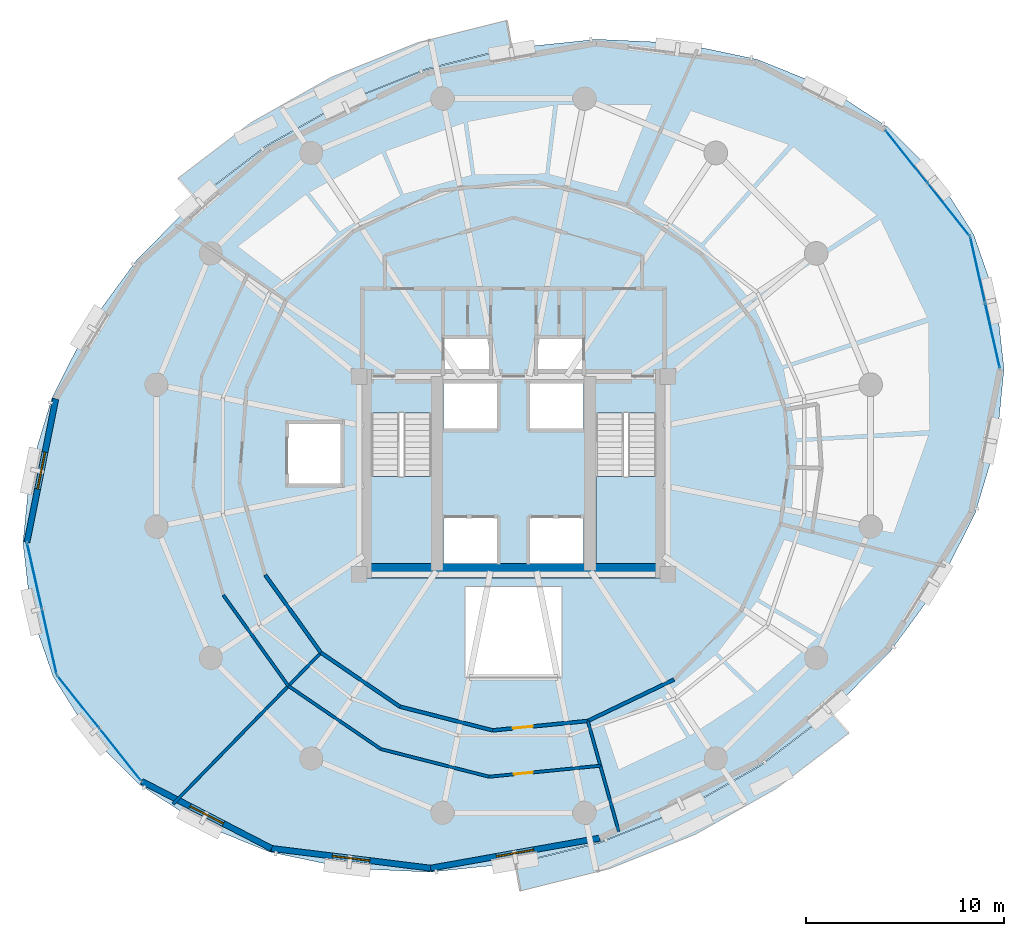
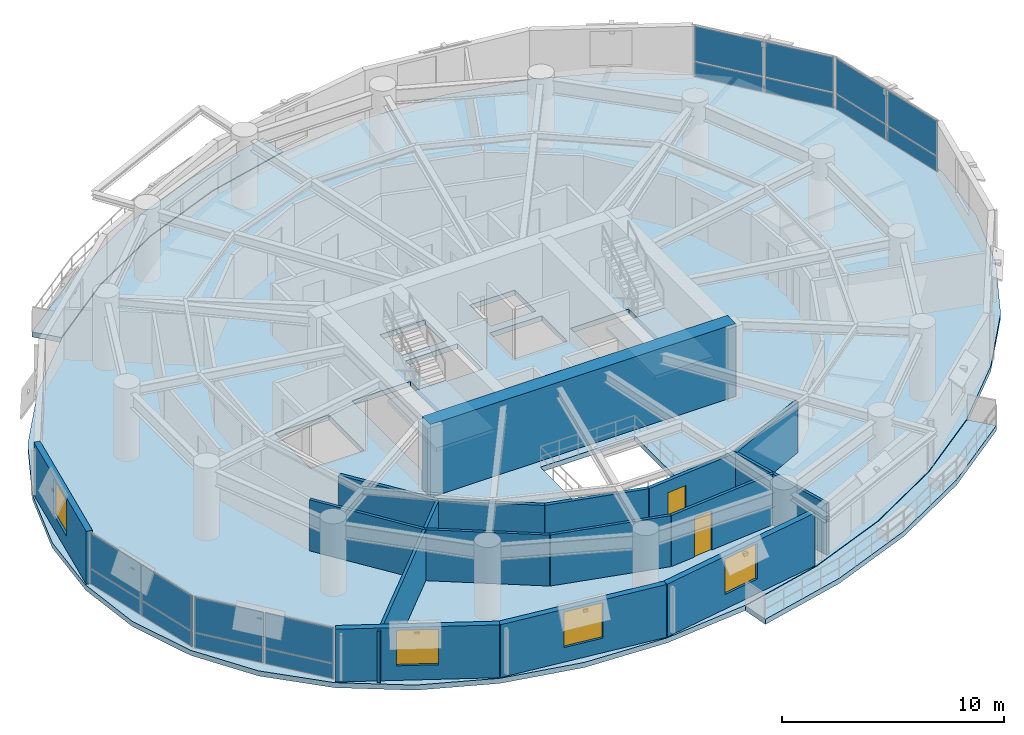
# One storey, part 9 of 15: 16 plates, 16 walls, 5 slabs, 4 windows, 2 doors, 6 openings, 6 elements without a shape of their own.
"""IFC4 building model written with IfcOpenShell, lengths in metres."""

from ifc_helpers import new_model, si_unit, direction, frame, frame_2d, origin, origin_2d, place, context, subcontext, project, spatial, polyline, rectangle, outline, extrude, material, layer, layer_set, type_object, element, fill, aggregate, save


model = new_model("IFC4")

# Units and contexts
model_context = context("Model", 3, precision=1e-05, world=origin(), true_north=direction((0.0, 1.0)))
body_context = subcontext(model_context, "Body", "Model", "MODEL_VIEW")
ifc_project = project(units=[si_unit("LENGTHUNIT", "METRE"), si_unit("AREAUNIT", "SQUARE_METRE"), si_unit("VOLUMEUNIT", "CUBIC_METRE"), si_unit("PLANEANGLEUNIT", "RADIAN"), si_unit("MASSUNIT", "GRAM", prefix="KILO"), si_unit("THERMODYNAMICTEMPERATUREUNIT", "KELVIN"), si_unit("POWERUNIT", "WATT")], contexts=[model_context])

# Site, building, storey
site_placement = place(None, origin())
site = spatial("IfcSite", under=ifc_project, at=site_placement, CompositionType="ELEMENT")
building_placement = place(site_placement, origin())
building = spatial("IfcBuilding", under=site, at=building_placement, Name="Ocrelia Relay Tower", CompositionType="ELEMENT")
storey_placement = place(building_placement, frame((0.0, 0.0, 141.800048828125)))
storey = spatial("IfcBuildingStorey", under=building, at=storey_placement, Name="L33", CompositionType="ELEMENT", Elevation=141.800048828125)

# Curtain wall, plates
ifc_material_1 = material(Name="Aluminium and solar-control low-E glass", Category="aluminium")
ifc_layer_1 = layer(ifc_material_1, 0.179931640625, Name="Aluminium and solar-control low-E glass")
ifc_layer_set_1 = layer_set([ifc_layer_1], Name="Aluminium and solar-control low-E glass")
curtain_wall_type = type_object("IfcCurtainWallType", Name="CW-SYS-Z2-SWIT", PredefinedType="NOTDEFINED", material=ifc_layer_set_1)
curtain_wall_1_placement = place(storey_placement, origin())
curtain_wall_1 = element("IfcCurtainWall", 1, at=curtain_wall_1_placement, inside=storey, type_object=curtain_wall_type, Name="L33 Elliptical Tower Curtain Wall Bay 01", PredefinedType="NOTDEFINED")
ifc_material_2 = material(Name="Clear double-glazed low-E glass", Category="glass")
ifc_layer_2 = layer(ifc_material_2, 0.031982421875, Name="Clear double-glazed low-E glass")
ifc_layer_set_2 = layer_set([ifc_layer_2], Name="Clear double-glazed low-E glass")
plate_type = type_object("IfcPlateType", Name="CW-SYS-Z2-SWIT-PNL", PredefinedType="CURTAIN_PANEL", material=ifc_layer_set_2)
plate_1_placement = place(storey_placement, frame((55.992919921875, 38.43896484375, 0.059814453125), z_axis=(0.0, 0.0, 1.0), x_axis=(-0.624148881208, 0.781305429449, 0.0)))
plate_1 = element("IfcPlate", 2, at=plate_1_placement, type_object=plate_type, Name="CW-Z2 panel 1.1", PredefinedType="CURTAIN_PANEL", context=body_context, shape_type="SweptSolid", body=[
    extrude(rectangle(XDim=3.33447265625, YDim=0.031982421875, at=origin_2d()), origin(), (0.0, 0.0, 1.0), 0.81005859375),
])
plate_2_placement = place(storey_placement, frame((55.992919921875, 38.43896484375, 0.93017578125), z_axis=(0.0, 0.0, 1.0), x_axis=(-0.624148881208, 0.781305429449, 0.0)))
plate_2 = element("IfcPlate", 3, at=plate_2_placement, type_object=plate_type, Name="CW-Z2 panel 1.2", PredefinedType="CURTAIN_PANEL", context=body_context, shape_type="SweptSolid", body=[
    extrude(rectangle(XDim=3.33447265625, YDim=0.031982421875, at=origin_2d()), origin(), (0.0, 0.0, 1.0), 1.909912109375),
])
plate_3_placement = place(storey_placement, frame((53.867919921875, 41.098876953125, 0.059814453125), z_axis=(0.0, 0.0, 1.0), x_axis=(-0.624148881208, 0.781305429449, 0.0)))
plate_3 = element("IfcPlate", 4, at=plate_3_placement, type_object=plate_type, Name="CW-Z2 panel 2.1", PredefinedType="CURTAIN_PANEL", context=body_context, shape_type="SweptSolid", body=[
    extrude(rectangle(XDim=3.33447265625, YDim=0.031982421875, at=origin_2d()), origin(), (0.0, 0.0, 1.0), 0.81005859375),
])
plate_4_placement = place(storey_placement, frame((53.867919921875, 41.098876953125, 0.93017578125), z_axis=(0.0, 0.0, 1.0), x_axis=(-0.624148881208, 0.781305429449, 0.0)))
plate_4 = element("IfcPlate", 5, at=plate_4_placement, type_object=plate_type, Name="CW-Z2 panel 2.2", PredefinedType="CURTAIN_PANEL", context=body_context, shape_type="SweptSolid", body=[
    extrude(rectangle(XDim=3.33447265625, YDim=0.031982421875, at=origin_2d()), origin(), (0.0, 0.0, 1.0), 1.909912109375),
])
aggregate(curtain_wall_1, [plate_1, plate_2, plate_3, plate_4])

curtain_wall_2_placement = place(storey_placement, origin())
curtain_wall_2 = element("IfcCurtainWall", 6, at=curtain_wall_2_placement, inside=storey, type_object=curtain_wall_type, Name="L33 Elliptical Tower Curtain Wall Bay 09", PredefinedType="NOTDEFINED")
plate_5_placement = place(storey_placement, frame((9.7939453125, 19.934814453125, 0.059814453125), z_axis=(0.0, 0.0, 1.0), x_axis=(0.219506314656, -0.975611079184, 0.0)))
plate_5 = element("IfcPlate", 7, at=plate_5_placement, type_object=plate_type, Name="CW-Z2 panel 1.1", PredefinedType="CURTAIN_PANEL", context=body_context, shape_type="SweptSolid", body=[
    extrude(rectangle(XDim=3.33447265625, YDim=0.031982421875, at=origin_2d()), origin(), (0.0, 0.0, 1.0), 0.81005859375),
])
plate_6_placement = place(storey_placement, frame((9.7939453125, 19.934814453125, 0.93017578125), z_axis=(0.0, 0.0, 1.0), x_axis=(0.219506314656, -0.975611079184, 0.0)))
plate_6 = element("IfcPlate", 8, at=plate_6_placement, type_object=plate_type, Name="CW-Z2 panel 1.2", PredefinedType="CURTAIN_PANEL", context=body_context, shape_type="SweptSolid", body=[
    extrude(rectangle(XDim=3.33447265625, YDim=0.031982421875, at=origin_2d()), origin(), (0.0, 0.0, 1.0), 1.909912109375),
])
plate_7_placement = place(storey_placement, frame((10.541259765625, 16.61328125, 0.059814453125), z_axis=(0.0, 0.0, 1.0), x_axis=(0.219506314656, -0.975611079184, 0.0)))
plate_7 = element("IfcPlate", 9, at=plate_7_placement, type_object=plate_type, Name="CW-Z2 panel 2.1", PredefinedType="CURTAIN_PANEL", context=body_context, shape_type="SweptSolid", body=[
    extrude(rectangle(XDim=3.33447265625, YDim=0.031982421875, at=origin_2d()), origin(), (0.0, 0.0, 1.0), 0.81005859375),
])
plate_8_placement = place(storey_placement, frame((10.541259765625, 16.61328125, 0.93017578125), z_axis=(0.0, 0.0, 1.0), x_axis=(0.219506314656, -0.975611079184, 0.0)))
plate_8 = element("IfcPlate", 10, at=plate_8_placement, type_object=plate_type, Name="CW-Z2 panel 2.2", PredefinedType="CURTAIN_PANEL", context=body_context, shape_type="SweptSolid", body=[
    extrude(rectangle(XDim=3.33447265625, YDim=0.031982421875, at=origin_2d()), origin(), (0.0, 0.0, 1.0), 1.909912109375),
])
aggregate(curtain_wall_2, [plate_5, plate_6, plate_7, plate_8])

curtain_wall_3_placement = place(storey_placement, origin())
curtain_wall_3 = element("IfcCurtainWall", 11, at=curtain_wall_3_placement, inside=storey, type_object=curtain_wall_type, Name="L33 Elliptical Tower Curtain Wall Bay 10", PredefinedType="NOTDEFINED")
plate_9_placement = place(storey_placement, frame((12.007080078125, 13.56103515625, 0.059814453125), z_axis=(0.0, 0.0, 1.0), x_axis=(0.624148881208, -0.781305429449, 0.0)))
plate_9 = element("IfcPlate", 12, at=plate_9_placement, type_object=plate_type, Name="CW-Z2 panel 1.1", PredefinedType="CURTAIN_PANEL", context=body_context, shape_type="SweptSolid", body=[
    extrude(rectangle(XDim=3.33447265625, YDim=0.031982421875, at=origin_2d()), origin(), (0.0, 0.0, 1.0), 0.81005859375),
])
plate_10_placement = place(storey_placement, frame((12.007080078125, 13.56103515625, 0.93017578125), z_axis=(0.0, 0.0, 1.0), x_axis=(0.624148881208, -0.781305429449, 0.0)))
plate_10 = element("IfcPlate", 13, at=plate_10_placement, type_object=plate_type, Name="CW-Z2 panel 1.2", PredefinedType="CURTAIN_PANEL", context=body_context, shape_type="SweptSolid", body=[
    extrude(rectangle(XDim=3.33447265625, YDim=0.031982421875, at=origin_2d()), origin(), (0.0, 0.0, 1.0), 1.909912109375),
])
plate_11_placement = place(storey_placement, frame((14.132080078125, 10.901123046875, 0.059814453125), z_axis=(0.0, 0.0, 1.0), x_axis=(0.624148881208, -0.781305429449, 0.0)))
plate_11 = element("IfcPlate", 14, at=plate_11_placement, type_object=plate_type, Name="CW-Z2 panel 2.1", PredefinedType="CURTAIN_PANEL", context=body_context, shape_type="SweptSolid", body=[
    extrude(rectangle(XDim=3.33447265625, YDim=0.031982421875, at=origin_2d()), origin(), (0.0, 0.0, 1.0), 0.81005859375),
])
plate_12_placement = place(storey_placement, frame((14.132080078125, 10.901123046875, 0.93017578125), z_axis=(0.0, 0.0, 1.0), x_axis=(0.624148881208, -0.781305429449, 0.0)))
plate_12 = element("IfcPlate", 15, at=plate_12_placement, type_object=plate_type, Name="CW-Z2 panel 2.2", PredefinedType="CURTAIN_PANEL", context=body_context, shape_type="SweptSolid", body=[
    extrude(rectangle(XDim=3.33447265625, YDim=0.031982421875, at=origin_2d()), origin(), (0.0, 0.0, 1.0), 1.909912109375),
])
aggregate(curtain_wall_3, [plate_9, plate_10, plate_11, plate_12])

curtain_wall_4_placement = place(storey_placement, origin())
curtain_wall_4 = element("IfcCurtainWall", 16, at=curtain_wall_4_placement, inside=storey, type_object=curtain_wall_type, Name="L33 Elliptical Tower Curtain Wall Bay 18", PredefinedType="NOTDEFINED")
plate_13_placement = place(storey_placement, frame((58.2060546875, 32.065185546875, 0.059814453125), z_axis=(0.0, 0.0, 1.0), x_axis=(-0.219506314656, 0.975611079184, 0.0)))
plate_13 = element("IfcPlate", 17, at=plate_13_placement, type_object=plate_type, Name="CW-Z2 panel 1.1", PredefinedType="CURTAIN_PANEL", context=body_context, shape_type="SweptSolid", body=[
    extrude(rectangle(XDim=3.33447265625, YDim=0.031982421875, at=origin_2d()), origin(), (0.0, 0.0, 1.0), 0.81005859375),
])
plate_14_placement = place(storey_placement, frame((58.2060546875, 32.065185546875, 0.93017578125), z_axis=(0.0, 0.0, 1.0), x_axis=(-0.219506314656, 0.975611079184, 0.0)))
plate_14 = element("IfcPlate", 18, at=plate_14_placement, type_object=plate_type, Name="CW-Z2 panel 1.2", PredefinedType="CURTAIN_PANEL", context=body_context, shape_type="SweptSolid", body=[
    extrude(rectangle(XDim=3.33447265625, YDim=0.031982421875, at=origin_2d()), origin(), (0.0, 0.0, 1.0), 1.909912109375),
])
plate_15_placement = place(storey_placement, frame((57.458740234375, 35.38671875, 0.059814453125), z_axis=(0.0, 0.0, 1.0), x_axis=(-0.219506314656, 0.975611079184, 0.0)))
plate_15 = element("IfcPlate", 19, at=plate_15_placement, type_object=plate_type, Name="CW-Z2 panel 2.1", PredefinedType="CURTAIN_PANEL", context=body_context, shape_type="SweptSolid", body=[
    extrude(rectangle(XDim=3.33447265625, YDim=0.031982421875, at=origin_2d()), origin(), (0.0, 0.0, 1.0), 0.81005859375),
])
plate_16_placement = place(storey_placement, frame((57.458740234375, 35.38671875, 0.93017578125), z_axis=(0.0, 0.0, 1.0), x_axis=(-0.219506314656, 0.975611079184, 0.0)))
plate_16 = element("IfcPlate", 20, at=plate_16_placement, type_object=plate_type, Name="CW-Z2 panel 2.2", PredefinedType="CURTAIN_PANEL", context=body_context, shape_type="SweptSolid", body=[
    extrude(rectangle(XDim=3.33447265625, YDim=0.031982421875, at=origin_2d()), origin(), (0.0, 0.0, 1.0), 1.909912109375),
])
aggregate(curtain_wall_4, [plate_13, plate_14, plate_15, plate_16])

# Slabs
ifc_material_3 = material(Name="Precast concrete C40/50", Category="concrete")
ifc_layer_3 = layer(ifc_material_3, 0.280029296875, Name="Precast concrete C40/50")
ifc_layer_set_3 = layer_set([ifc_layer_3], Name="Precast concrete C40/50")
slab_type_1 = type_object("IfcSlabType", Name="SL-BALC-280", PredefinedType="FLOOR", material=ifc_layer_set_3)
slab_1_placement = place(storey_placement, frame((0.0, 0.0, -0.280029296875)))
element("IfcSlab", 21, at=slab_1_placement, inside=storey, type_object=slab_type_1, Name="L33 Planted Loggia Balcony B1", PredefinedType="FLOOR", context=body_context, shape_type="SweptSolid", body=[
    extrude(outline(polyline([(33.8955078125, 46.62158203125), (31.741943359375, 46.08349609375), (29.588623046875, 45.545654296875), (25.416015625, 43.8759765625), (21.504150390625, 41.663330078125), (19.73779296875, 40.3193359375), (17.9716796875, 38.975341796875), (17.052001953125, 40.022216796875), (18.894775390625, 41.424560546875), (20.737548828125, 42.826904296875), (24.81298828125, 45.131591796875), (29.16015625, 46.87109375), (31.40673828125, 47.4326171875), (33.653564453125, 47.993896484375), (33.8955078125, 46.62158203125)])), origin(), (0.0, 0.0, 1.0), 0.280029296875),
])
slab_2_placement = place(storey_placement, frame((0.0, 0.0, -0.280029296875)))
element("IfcSlab", 22, at=slab_2_placement, inside=storey, type_object=slab_type_1, Name="L33 Planted Loggia Balcony B2", PredefinedType="FLOOR", context=body_context, shape_type="SweptSolid", body=[
    extrude(outline(polyline([(34.1044921875, 5.37841796875), (36.2578125, 5.916259765625), (38.411376953125, 6.454345703125), (42.583984375, 8.1240234375), (46.495849609375, 10.336669921875), (48.26220703125, 11.6806640625), (50.0283203125, 13.024658203125), (50.947998046875, 11.977783203125), (49.105224609375, 10.575439453125), (47.262451171875, 9.173095703125), (43.18701171875, 6.868408203125), (38.83984375, 5.12890625), (36.59326171875, 4.5673828125), (34.346435546875, 4.006103515625), (34.1044921875, 5.37841796875)])), origin(), (0.0, 0.0, 1.0), 0.280029296875),
])
ifc_material_4 = material(Name="Concrete C50/60", Category="concrete")
ifc_layer_4 = layer(ifc_material_4, 0.280029296875, Name="Concrete C50/60")
ifc_layer_set_4 = layer_set([ifc_layer_4], Name="Concrete C50/60")
slab_type_2 = type_object("IfcSlabType", Name="SL-FLR-280", PredefinedType="FLOOR", material=ifc_layer_set_4)
slab_3_placement = place(storey_placement, frame((0.0, 0.0, -0.280029296875)))
element("IfcSlab", 23, at=slab_3_placement, inside=storey, type_object=slab_type_2, Name="L33 Elliptical Tower Floor Slab", PredefinedType="FLOOR", context=body_context, shape_type="SweptSolid", body=[
    extrude(outline(polyline([(57.257568359375, 37.168212890625), (55.416015625, 40.097900390625), (52.923583984375, 42.59912109375), (49.856201171875, 44.59619140625), (46.30712890625, 46.0283203125), (42.384033203125, 46.851806640625), (38.206298828125, 47.04150390625), (33.900634765625, 46.592041015625), (29.597900390625, 45.51708984375), (25.42919921875, 43.848876953125), (21.520751953125, 41.63818359375), (17.991455078125, 38.95263671875), (14.948486328125, 35.87353515625), (12.484619140625, 32.494384765625), (10.67431640625, 28.917724609375), (9.572998046875, 25.25244140625), (9.213623046875, 21.610107421875), (9.607421875, 18.10107421875), (10.742431640625, 14.831787109375), (12.583984375, 11.902099609375), (15.076416015625, 9.40087890625), (18.143798828125, 7.40380859375), (21.69287109375, 5.9716796875), (25.615966796875, 5.148193359375), (29.793701171875, 4.95849609375), (34.099365234375, 5.407958984375), (38.402099609375, 6.48291015625), (42.57080078125, 8.151123046875), (46.479248046875, 10.36181640625), (50.008544921875, 13.04736328125), (53.051513671875, 16.12646484375), (55.515380859375, 19.505615234375), (57.32568359375, 23.082275390625), (58.427001953125, 26.74755859375), (58.786376953125, 30.389892578125), (58.392578125, 33.89892578125), (57.257568359375, 37.168212890625)]), holes=[polyline([(26.81005859375, 28.14990234375), (26.81005859375, 20.550048828125), (29.85009765625, 20.550048828125), (29.85009765625, 28.14990234375), (26.81005859375, 28.14990234375)]), polyline([(38.159912109375, 28.14990234375), (38.159912109375, 20.550048828125), (41.199951171875, 20.550048828125), (41.199951171875, 28.14990234375), (38.159912109375, 28.14990234375)]), polyline([(30.4599609375, 20.550048828125), (33.159912109375, 20.550048828125), (33.159912109375, 22.85009765625), (30.4599609375, 22.85009765625), (30.4599609375, 20.550048828125)]), polyline([(34.840087890625, 20.550048828125), (37.5400390625, 20.550048828125), (37.5400390625, 22.85009765625), (34.840087890625, 22.85009765625), (34.840087890625, 20.550048828125)]), polyline([(30.4599609375, 27.35009765625), (33.159912109375, 27.35009765625), (33.159912109375, 29.64990234375), (30.4599609375, 29.64990234375), (30.4599609375, 27.35009765625)]), polyline([(34.840087890625, 27.35009765625), (37.5400390625, 27.35009765625), (37.5400390625, 29.64990234375), (34.840087890625, 29.64990234375), (34.840087890625, 27.35009765625)]), polyline([(30.5, 30.10009765625), (32.85009765625, 30.10009765625), (32.85009765625, 32.0), (30.5, 32.0), (30.5, 30.10009765625)]), polyline([(35.14990234375, 30.10009765625), (37.5, 30.10009765625), (37.5, 32.0), (35.14990234375, 32.0), (35.14990234375, 30.10009765625)]), polyline([(22.550048828125, 24.5), (25.35009765625, 24.5), (25.35009765625, 27.699951171875), (22.550048828125, 27.699951171875), (22.550048828125, 24.5)]), polyline([(31.550048828125, 14.800048828125), (36.449951171875, 14.800048828125), (36.449951171875, 19.39990234375), (31.550048828125, 19.39990234375), (31.550048828125, 14.800048828125)])]), origin(), (0.0, 0.0, 1.0), 0.280029296875),
])

# Stair, slab
stair_type = type_object("IfcStairType", Name="ST-DL-1420-R167", PredefinedType="HALF_TURN_STAIR", material=ifc_material_4)
stair_1_placement = place(storey_placement, origin())
stair_1 = element("IfcStair", 24, at=stair_1_placement, inside=storey, type_object=stair_type, Name="L33 West Core Exit Stair ST1", PredefinedType="HALF_TURN_STAIR")
ifc_layer_5 = layer(ifc_material_4, 0.199951171875, Name="Concrete C50/60")
ifc_layer_set_5 = layer_set([ifc_layer_5], Name="Concrete C50/60")
slab_type_3 = type_object("IfcSlabType", Name="SL-LANDING-200", PredefinedType="LANDING", material=ifc_layer_set_5)
slab_4_placement = place(storey_placement, frame((0.0, 0.0, 1.800048828125)))
slab_4 = element("IfcSlab", 25, at=slab_4_placement, type_object=slab_type_3, Name="ST1 landing 1", PredefinedType="LANDING", context=body_context, shape_type="SweptSolid", body=[
    extrude(outline(polyline([(26.81005859375, 24.9599609375), (26.81005859375, 20.550048828125), (29.85009765625, 20.550048828125), (29.85009765625, 24.9599609375), (26.81005859375, 24.9599609375)])), origin(), (0.0, 0.0, 1.0), 0.199951171875),
])
aggregate(stair_1, [slab_4])

stair_2_placement = place(storey_placement, origin())
stair_2 = element("IfcStair", 26, at=stair_2_placement, inside=storey, type_object=stair_type, Name="L33 East Core Exit Stair ST2", PredefinedType="HALF_TURN_STAIR")
slab_5_placement = place(storey_placement, frame((0.0, 0.0, 1.800048828125)))
slab_5 = element("IfcSlab", 27, at=slab_5_placement, type_object=slab_type_3, Name="ST2 landing 1", PredefinedType="LANDING", context=body_context, shape_type="SweptSolid", body=[
    extrude(outline(polyline([(38.159912109375, 24.9599609375), (38.159912109375, 20.550048828125), (41.199951171875, 20.550048828125), (41.199951171875, 24.9599609375), (38.159912109375, 24.9599609375)])), origin(), (0.0, 0.0, 1.0), 0.199951171875),
])
aggregate(stair_2, [slab_5])

# Walls
ifc_material_5 = material(Name="Concrete C60/75", Category="concrete")
ifc_layer_6 = layer(ifc_material_5, 0.75, Name="Concrete C60/75")
ifc_layer_set_6 = layer_set([ifc_layer_6], Name="Concrete C60/75")
wall_type_1 = type_object("IfcWallType", Name="CW-CORE-750", PredefinedType="SHEAR", material=ifc_layer_set_6)
wall_1_placement = place(storey_placement, frame((26.072021484375, 20.18701171875, 0.0), z_axis=(0.0, 0.0, 1.0), x_axis=(1.0, 0.0, 0.0)))
element("IfcWall", 28, at=wall_1_placement, inside=storey, type_object=wall_type_1, Name="L33 Core Shear Wall S", PredefinedType="SHEAR", context=body_context, shape_type="SweptSolid", body=[
    extrude(rectangle(XDim=15.865966796875, YDim=0.75, at=frame_2d((7.93310546875, 0.0))), origin(), (0.0, 0.0, 1.0), 4.0),
])
ifc_material_6 = material(Name="Gypsum Fireboard Partition EI60", Category="gypsum")
ifc_layer_7 = layer(ifc_material_6, 0.179931640625, Name="Gypsum Fireboard Partition EI60")
ifc_layer_set_7 = layer_set([ifc_layer_7], Name="Gypsum Fireboard Partition EI60")
wall_type_2 = type_object("IfcWallType", Name="W-CORR-EI60-180", PredefinedType="PARTITIONING", material=ifc_layer_set_7)
for number, where, z_axis, x_axis, name in (
    (29, (21.45166015625, 19.974365234375, 0.0), (0.0, 0.0, 1.0), (0.582823069719, -0.812599082822, 0.0), "L33 Executive Reading Study Corridor Partition 4"),
    (30, (24.269287109375, 16.0458984375, 0.0), (0.0, 0.0, 1.0), (0.825640328669, -0.564196816435, 0.0), "L33 Day Lounge East Corridor Partition 1"),
):
    element("IfcWall", number, at=place(storey_placement, frame(where, z_axis=z_axis, x_axis=x_axis)), inside=storey, type_object=wall_type_2, Name=name, PredefinedType="PARTITIONING", context=body_context, shape_type="SweptSolid", body=[
        extrude(rectangle(XDim=4.83447265625, YDim=0.179931640625, at=frame_2d((2.417236328125, 0.0))), origin(), (0.0, 0.0, 1.0), 2.800048828125),
    ])
wall_2_placement = place(storey_placement, frame((28.2607421875, 13.318359375, 0.0), z_axis=(0.0, 0.0, 1.0), x_axis=(0.968793962031, -0.247867422491, 0.0)))
element("IfcWall", 31, at=wall_2_placement, inside=storey, type_object=wall_type_2, Name="L33 Day Lounge East Corridor Partition 2", PredefinedType="PARTITIONING", context=body_context, shape_type="SweptSolid", body=[
    extrude(rectangle(XDim=4.834228515625, YDim=0.179931640625, at=frame_2d((2.4169921875, 0.0))), origin(), (0.0, 0.0, 1.0), 2.800048828125),
])

# Wall, opening, door
wall_3_placement = place(storey_placement, frame((32.944091796875, 12.1201171875, 0.0), z_axis=(0.0, 0.0, 1.0), x_axis=(0.9951446032, 0.098423669524, 0.0)))
wall_3 = element("IfcWall", 32, at=wall_3_placement, inside=storey, type_object=wall_type_2, Name="L33 Day Lounge East Corridor Partition 3", PredefinedType="PARTITIONING", context=body_context, shape_type="SweptSolid", body=[
    extrude(rectangle(XDim=4.83447265625, YDim=0.179931640625, at=frame_2d((2.417236328125, 0.0))), origin(), (0.0, 0.0, 1.0), 2.800048828125),
])
opening_1_placement = place(wall_3_placement, frame((1.03369140625, 0.0, 0.0)))
opening_1 = element("IfcOpeningElement", 33, at=opening_1_placement, cuts=wall_3, Name="Opening D-RM100", PredefinedType="OPENING", context=body_context, shape_type="SweptSolid", body=[
    extrude(rectangle(XDim=1.0, YDim=2.14990234375, at=frame_2d((0.5, 1.074951171875))), frame((0.0, 0.10009765625, 0.0), z_axis=(0.0, -1.0, 0.0), x_axis=(1.0, 0.0, 0.0)), (0.0, 0.0, 1.0), 0.199951171875),
])
ifc_material_7 = material(Name="Acoustic oak veneer fire door", Category="wood")
door_type_1 = type_object("IfcDoorType", Name="DR-ROOM-FD60-1000", OperationType="NOTDEFINED", PredefinedType="DOOR", material=ifc_material_7)
door_1_placement = place(opening_1_placement, origin())
door_1 = element("IfcDoor", 34, at=door_1_placement, inside=storey, type_object=door_type_1, Name="L33 Day Lounge East Entrance Door", OperationType="SINGLE_SWING_LEFT", OverallHeight=2.14990234375, OverallWidth=1.0, PredefinedType="DOOR", context=body_context, shape_type="SweptSolid", body=[
    extrude(rectangle(XDim=1.0, YDim=2.14990234375, at=frame_2d((0.5, 1.074951171875))), frame((0.0, 0.02490234375, 0.0), z_axis=(0.0, -1.0, 0.0), x_axis=(1.0, 0.0, 0.0)), (0.0, 0.0, 1.0), 0.050048828125),
])
fill(opening_1, door_1)

# Wall
wall_4_placement = place(storey_placement, frame((37.755126953125, 12.595947265625, 0.0), z_axis=(0.0, 0.0, 1.0), x_axis=(0.901444237196, 0.432895238165, 0.0)))
element("IfcWall", 35, at=wall_4_placement, inside=storey, type_object=wall_type_2, Name="L33 Optical Systems Laboratory Corridor Partition 1", PredefinedType="PARTITIONING", context=body_context, shape_type="SweptSolid", body=[
    extrude(rectangle(XDim=4.83447265625, YDim=0.179931640625, at=frame_2d((2.417236328125, 0.0))), origin(), (0.0, 0.0, 1.0), 2.800048828125),
])

# Wall, opening, window
ifc_material_8 = material(Name="Precast concrete C40/50 with oxide terracotta", Category="masonry")
ifc_layer_8 = layer(ifc_material_8, 0.300048828125, Name="Precast concrete C40/50 with oxide terracotta")
ifc_layer_set_8 = layer_set([ifc_layer_8], Name="Precast concrete C40/50 with oxide terracotta")
wall_type_3 = type_object("IfcWallType", Name="W-EXT-TERR-300", PredefinedType="SOLIDWALL", material=ifc_layer_set_8)
wall_5_placement = place(storey_placement, frame((10.8681640625, 28.8681640625, 0.0), z_axis=(0.0, 0.0, 1.0), x_axis=(-0.197146195015, -0.980374100939, 0.0)))
wall_5 = element("IfcWall", 36, at=wall_5_placement, inside=storey, type_object=wall_type_3, Name="L33 Oxide Terracotta Facade Wall 08", PredefinedType="SOLIDWALL", context=body_context, shape_type="SweptSolid", body=[
    extrude(rectangle(XDim=7.38330078125, YDim=0.300048828125, at=frame_2d((3.691650390625, 0.0))), origin(), (0.0, 0.0, 1.0), 2.89990234375),
])
opening_2_placement = place(wall_5_placement, frame((2.741943359375, 0.0, 0.800048828125)))
opening_2 = element("IfcOpeningElement", 37, at=opening_2_placement, cuts=wall_5, Name="Opening W-06", PredefinedType="OPENING", context=body_context, shape_type="SweptSolid", body=[
    extrude(rectangle(XDim=1.89990234375, YDim=1.949951171875, at=frame_2d((0.949951171875, 0.97509765625))), frame((0.0, 0.16015625, 0.0), z_axis=(0.0, -1.0, 0.0), x_axis=(1.0, 0.0, 0.0)), (0.0, 0.0, 1.0), 0.320068359375),
])
window_type = type_object("IfcWindowType", Name="WIN-Z2-1900x2100", PartitioningType="DOUBLE_PANEL_VERTICAL", PredefinedType="WINDOW", material=ifc_material_2)
window_1_placement = place(opening_2_placement, origin())
window_1 = element("IfcWindow", 38, at=window_1_placement, inside=storey, type_object=window_type, Name="L33 Facade Module Window 08", OverallHeight=1.949951171875, OverallWidth=1.89990234375, PartitioningType="SINGLE_PANEL", PredefinedType="WINDOW", context=body_context, shape_type="SweptSolid", body=[
    extrude(rectangle(XDim=1.89990234375, YDim=1.949951171875, at=frame_2d((0.949951171875, 0.97509765625))), frame((0.0, 0.030029296875, 0.0), z_axis=(0.0, -1.0, 0.0), x_axis=(1.0, 0.0, 0.0)), (0.0, 0.0, 1.0), 0.06005859375),
])
fill(opening_2, window_1)

wall_6_placement = place(storey_placement, frame((15.21630859375, 9.543701171875, 0.0), z_axis=(0.0, 0.0, 1.0), x_axis=(0.88836881451, -0.459130536346, 0.0)))
wall_6 = element("IfcWall", 39, at=wall_6_placement, inside=storey, type_object=wall_type_3, Name="L33 Oxide Terracotta Facade Wall 11", PredefinedType="SOLIDWALL", context=body_context, shape_type="SweptSolid", body=[
    extrude(rectangle(XDim=7.38330078125, YDim=0.300048828125, at=frame_2d((3.691650390625, 0.0))), origin(), (0.0, 0.0, 1.0), 2.89990234375),
])
opening_3_placement = place(wall_6_placement, frame((2.741943359375, 0.0, 0.800048828125)))
opening_3 = element("IfcOpeningElement", 40, at=opening_3_placement, cuts=wall_6, Name="Opening W-06", PredefinedType="OPENING", context=body_context, shape_type="SweptSolid", body=[
    extrude(rectangle(XDim=1.89990234375, YDim=1.949951171875, at=frame_2d((0.949951171875, 0.97509765625))), frame((0.0, 0.16015625, 0.0), z_axis=(0.0, -1.0, 0.0), x_axis=(1.0, 0.0, 0.0)), (0.0, 0.0, 1.0), 0.320068359375),
])
window_2_placement = place(opening_3_placement, origin())
window_2 = element("IfcWindow", 41, at=window_2_placement, inside=storey, type_object=window_type, Name="L33 Facade Module Window 11", OverallHeight=1.949951171875, OverallWidth=1.89990234375, PartitioningType="SINGLE_PANEL", PredefinedType="WINDOW", context=body_context, shape_type="SweptSolid", body=[
    extrude(rectangle(XDim=1.89990234375, YDim=1.949951171875, at=frame_2d((0.949951171875, 0.97509765625))), frame((0.0, 0.030029296875, 0.0), z_axis=(0.0, -1.0, 0.0), x_axis=(1.0, 0.0, 0.0)), (0.0, 0.0, 1.0), 0.06005859375),
])
fill(opening_3, window_2)

wall_7_placement = place(storey_placement, frame((21.775390625, 6.15380859375, 0.0), z_axis=(0.0, 0.0, 1.0), x_axis=(0.992400804001, -0.123047325118, 0.0)))
wall_7 = element("IfcWall", 42, at=wall_7_placement, inside=storey, type_object=wall_type_3, Name="L33 Oxide Terracotta Facade Wall 12", PredefinedType="SOLIDWALL", context=body_context, shape_type="SweptSolid", body=[
    extrude(rectangle(XDim=8.09521484375, YDim=0.300048828125, at=frame_2d((4.047607421875, 0.0))), origin(), (0.0, 0.0, 1.0), 2.89990234375),
])
opening_4_placement = place(wall_7_placement, frame((3.097900390625, 0.0, 0.800048828125)))
opening_4 = element("IfcOpeningElement", 43, at=opening_4_placement, cuts=wall_7, Name="Opening W-06", PredefinedType="OPENING", context=body_context, shape_type="SweptSolid", body=[
    extrude(rectangle(XDim=1.89990234375, YDim=1.949951171875, at=frame_2d((0.949951171875, 0.97509765625))), frame((0.0, 0.16015625, 0.0), z_axis=(0.0, -1.0, 0.0), x_axis=(1.0, 0.0, 0.0)), (0.0, 0.0, 1.0), 0.320068359375),
])
window_3_placement = place(opening_4_placement, origin())
window_3 = element("IfcWindow", 44, at=window_3_placement, inside=storey, type_object=window_type, Name="L33 Facade Module Window 12", OverallHeight=1.949951171875, OverallWidth=1.89990234375, PartitioningType="SINGLE_PANEL", PredefinedType="WINDOW", context=body_context, shape_type="SweptSolid", body=[
    extrude(rectangle(XDim=1.89990234375, YDim=1.949951171875, at=frame_2d((0.949951171875, 0.97509765625))), frame((0.0, 0.030029296875, 0.0), z_axis=(0.0, -1.0, 0.0), x_axis=(1.0, 0.0, 0.0)), (0.0, 0.0, 1.0), 0.06005859375),
])
fill(opening_4, window_3)

wall_8_placement = place(storey_placement, frame((29.80908203125, 5.15771484375, 0.0), z_axis=(0.0, 0.0, 1.0), x_axis=(0.984567142926, 0.175007260052, 0.0)))
wall_8 = element("IfcWall", 45, at=wall_8_placement, inside=storey, type_object=wall_type_3, Name="L33 Oxide Terracotta Facade Wall 13", PredefinedType="SOLIDWALL", context=body_context, shape_type="SweptSolid", body=[
    extrude(rectangle(XDim=8.6728515625, YDim=0.300048828125, at=frame_2d((4.33642578125, 0.0))), origin(), (0.0, 0.0, 1.0), 2.89990234375),
])
opening_5_placement = place(wall_8_placement, frame((3.385986328125, 0.0, 0.800048828125)))
opening_5 = element("IfcOpeningElement", 46, at=opening_5_placement, cuts=wall_8, Name="Opening W-06", PredefinedType="OPENING", context=body_context, shape_type="SweptSolid", body=[
    extrude(rectangle(XDim=1.89990234375, YDim=1.949951171875, at=frame_2d((0.949951171875, 0.97509765625))), frame((0.0, 0.16015625, 0.0), z_axis=(0.0, -1.0, 0.0), x_axis=(1.0, 0.0, 0.0)), (0.0, 0.0, 1.0), 0.320068359375),
])
window_4_placement = place(opening_5_placement, origin())
window_4 = element("IfcWindow", 47, at=window_4_placement, inside=storey, type_object=window_type, Name="L33 Facade Module Window 13", OverallHeight=1.949951171875, OverallWidth=1.89990234375, PartitioningType="SINGLE_PANEL", PredefinedType="WINDOW", context=body_context, shape_type="SweptSolid", body=[
    extrude(rectangle(XDim=1.89990234375, YDim=1.949951171875, at=frame_2d((0.949951171875, 0.97509765625))), frame((0.0, 0.030029296875, 0.0), z_axis=(0.0, -1.0, 0.0), x_axis=(1.0, 0.0, 0.0)), (0.0, 0.0, 1.0), 0.06005859375),
])
fill(opening_5, window_4)

# Walls
ifc_material_9 = material(Name="Acoustic Fireboard Partition EI60", Category="gypsum")
ifc_layer_9 = layer(ifc_material_9, 0.14990234375, Name="Acoustic Fireboard Partition EI60")
ifc_layer_set_9 = layer_set([ifc_layer_9], Name="Acoustic Fireboard Partition EI60")
wall_type_4 = type_object("IfcWallType", Name="W-PART-150", PredefinedType="PARTITIONING", material=ifc_layer_set_9)
wall_9_placement = place(storey_placement, frame((24.269287109375, 16.0458984375, 0.0), z_axis=(0.0, 0.0, 1.0), x_axis=(-0.699040524589, -0.71508205472, 0.0)))
element("IfcWall", 48, at=wall_9_placement, inside=storey, type_object=wall_type_4, Name="L33 Executive Reading Study Radial Partition", PredefinedType="PARTITIONING", context=body_context, shape_type="SweptSolid", body=[
    extrude(rectangle(XDim=10.683837890625, YDim=0.14990234375, at=frame_2d((5.341796875, 0.0))), origin(), (0.0, 0.0, 1.0), 2.800048828125),
])
wall_10_placement = place(storey_placement, frame((19.333251953125, 18.957275390625, 0.0), z_axis=(0.0, 0.0, 1.0), x_axis=(0.582830980664, -0.812593408771, 0.0)))
element("IfcWall", 49, at=wall_10_placement, inside=storey, type_object=wall_type_4, Name="L33 Perimeter Executive Reading Study Mid-Ring Partition 4", PredefinedType="PARTITIONING", context=body_context, shape_type="SweptSolid", body=[
    extrude(rectangle(XDim=5.65087890625, YDim=0.14990234375, at=frame_2d((2.825439453125, 0.0))), origin(), (0.0, 0.0, 1.0), 2.800048828125),
])
wall_11_placement = place(storey_placement, frame((37.755126953125, 12.595947265625, 0.0), z_axis=(0.0, 0.0, 1.0), x_axis=(0.269750077606, -0.962930369046, 0.0)))
element("IfcWall", 50, at=wall_11_placement, inside=storey, type_object=wall_type_4, Name="L33 Day Lounge East Radial Partition", PredefinedType="PARTITIONING", context=body_context, shape_type="SweptSolid", body=[
    extrude(rectangle(XDim=5.80322265625, YDim=0.14990234375, at=frame_2d((2.901611328125, 0.0))), origin(), (0.0, 0.0, 1.0), 2.800048828125),
])
for number, where, z_axis, x_axis, name in (
    (51, (22.626708984375, 14.365478515625, 0.0), (0.0, 0.0, 1.0), (0.825607069438, -0.564245484603, 0.0), "L33 Perimeter Day Lounge East Mid-Ring Partition 1"),
    (52, (27.291748046875, 11.17724609375, 0.0), (0.0, 0.0, 1.0), (0.968801256896, -0.247838908641, 0.0), "L33 Perimeter Day Lounge East Mid-Ring Partition 2"),
):
    element("IfcWall", number, at=place(storey_placement, frame(where, z_axis=z_axis, x_axis=x_axis)), inside=storey, type_object=wall_type_4, Name=name, PredefinedType="PARTITIONING", context=body_context, shape_type="SweptSolid", body=[
        extrude(rectangle(XDim=5.650390625, YDim=0.14990234375, at=frame_2d((2.8251953125, 0.0))), origin(), (0.0, 0.0, 1.0), 2.800048828125),
    ])

# Wall, opening, door
wall_12_placement = place(storey_placement, frame((32.765869140625, 9.77685546875, 0.0), z_axis=(0.0, 0.0, 1.0), x_axis=(0.995140176987, 0.098468411921, 0.0)))
wall_12 = element("IfcWall", 53, at=wall_12_placement, inside=storey, type_object=wall_type_4, Name="L33 Perimeter Day Lounge East Mid-Ring Partition 3", PredefinedType="PARTITIONING", context=body_context, shape_type="SweptSolid", body=[
    extrude(rectangle(XDim=5.650390625, YDim=0.14990234375, at=frame_2d((2.8251953125, 0.0))), origin(), (0.0, 0.0, 1.0), 2.800048828125),
])
opening_6_placement = place(wall_12_placement, frame((1.26513671875, 0.0, 0.0)))
opening_6 = element("IfcOpeningElement", 54, at=opening_6_placement, cuts=wall_12, Name="Opening D-RM95", PredefinedType="OPENING", context=body_context, shape_type="SweptSolid", body=[
    extrude(rectangle(XDim=0.949951171875, YDim=2.14990234375, at=frame_2d((0.47509765625, 1.074951171875))), frame((0.0, 0.0849609375, 0.0), z_axis=(0.0, -1.0, 0.0), x_axis=(1.0, 0.0, 0.0)), (0.0, 0.0, 1.0), 0.169921875),
])
door_type_2 = type_object("IfcDoorType", Name="DR-ROOM-950", OperationType="NOTDEFINED", PredefinedType="DOOR", material=ifc_material_7)
door_2_placement = place(opening_6_placement, origin())
door_2 = element("IfcDoor", 55, at=door_2_placement, inside=storey, type_object=door_type_2, Name="L33 Perimeter Day Lounge East Connecting Door", OperationType="SINGLE_SWING_RIGHT", OverallHeight=2.14990234375, OverallWidth=0.949951171875, PredefinedType="DOOR", context=body_context, shape_type="SweptSolid", body=[
    extrude(rectangle(XDim=0.949951171875, YDim=2.14990234375, at=frame_2d((0.47509765625, 1.074951171875))), frame((0.0, 0.02490234375, 0.0), z_axis=(0.0, -1.0, 0.0), x_axis=(1.0, 0.0, 0.0)), (0.0, 0.0, 1.0), 0.050048828125),
])
fill(opening_6, door_2)

save(model, "model.ifc")
